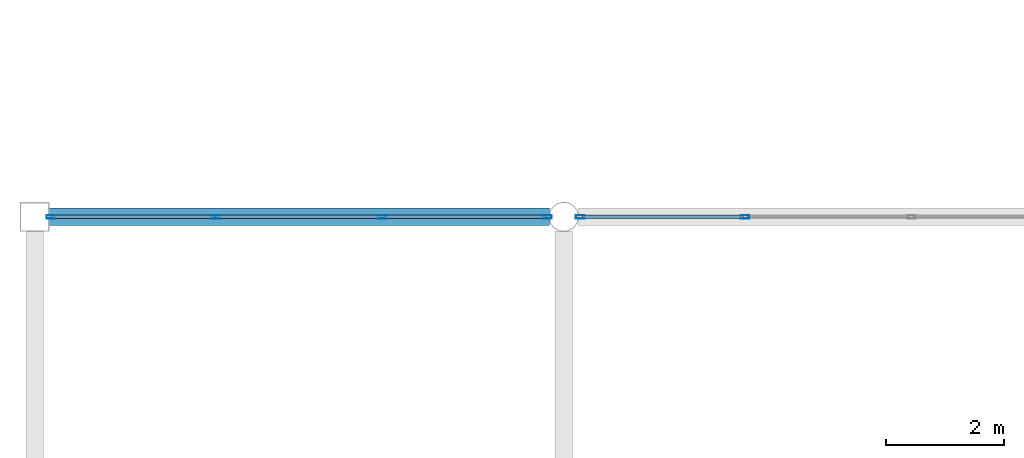
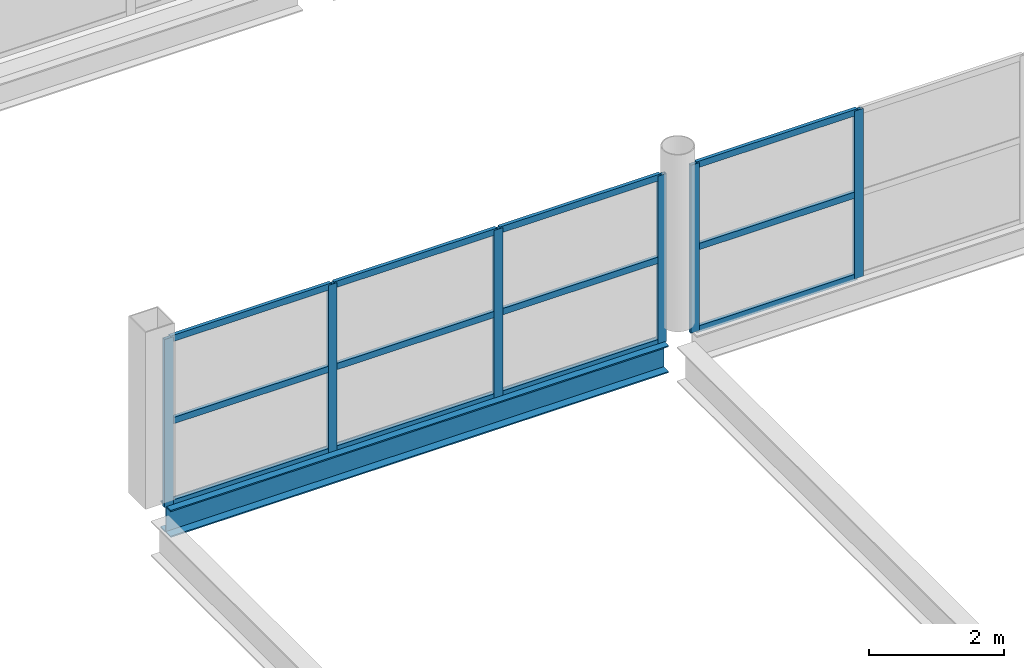
# One storey, part 37 of 134: 18 members, 1 beam, 2 elements without a shape of their own.
"""IFC4 building model written with IfcOpenShell, lengths in metres."""

from ifc_helpers import new_model, si_unit, direction, frame, origin, origin_2d, place, context, subcontext, project, spatial, hollow_rectangle, i_section, extrude, material, layer, layer_set, material_profile, profile_set, type_object, element, aggregate, save


model = new_model("IFC4")

# Units and contexts
model_context = context("Model", 3, precision=1e-05, world=origin(), true_north=direction((0.0, 1.0)))
body_context = subcontext(model_context, "Body", "Model", "MODEL_VIEW")
ifc_project = project(units=[si_unit("LENGTHUNIT", "METRE"), si_unit("AREAUNIT", "SQUARE_METRE"), si_unit("VOLUMEUNIT", "CUBIC_METRE"), si_unit("PLANEANGLEUNIT", "RADIAN"), si_unit("MASSUNIT", "GRAM", prefix="KILO")], contexts=[model_context])

# Site, building, storey
site_placement = place(None, origin())
site = spatial("IfcSite", under=ifc_project, at=site_placement, CompositionType="ELEMENT")
building_placement = place(site_placement, origin())
building = spatial("IfcBuilding", under=site, at=building_placement, Name="Tamarisk Ironworks Central Station", CompositionType="ELEMENT")
storey_placement = place(building_placement, frame((0.0, 0.0, 12.60009765625)))
storey = spatial("IfcBuildingStorey", under=building, at=storey_placement, Name="L02", CompositionType="ELEMENT", Elevation=12.60009765625)

# Beam
ifc_material_1 = material(Name="Structural steel S355J2", Category="steel")
ifc_material_profile_1 = material_profile(ifc_material_1, i_section(OverallWidth=0.300048828125, OverallDepth=0.489990234375, WebThickness=0.011962890625, FlangeThickness=0.02294921875, at=origin_2d()), Name="HEA 500")
ifc_profile_set_1 = profile_set([ifc_material_profile_1], Name="Structural steel S355J2")
beam_type = type_object("IfcBeamType", Name="BM-G05", PredefinedType="BEAM", material=ifc_profile_set_1)
beam_placement = place(storey_placement, frame((0.238037109375, 79.199951171875, -0.4951171875), z_axis=(1.0, 0.0, 0.0), x_axis=(0.0, 1.0, 0.0)))
element("IfcBeam", 1, at=beam_placement, inside=storey, type_object=beam_type, Name="L02 primary girder X-0355", PredefinedType="BEAM", context=body_context, shape_type="SweptSolid", body=[
    extrude(i_section(OverallWidth=0.300048828125, OverallDepth=0.489990234375, WebThickness=0.011962890625, FlangeThickness=0.02294921875, at=origin_2d()), origin(), (0.0, 0.0, 1.0), 8.52001953125),
])

# Curtain wall, members
ifc_material_2 = material(Name="Anodized aluminium alloy 6063-T6", Category="aluminium")
ifc_layer = layer(ifc_material_2, 0.179931640625)
ifc_layer_set = layer_set([ifc_layer], Name="Anodized aluminium alloy 6063-T6")
curtain_wall_type = type_object("IfcCurtainWallType", Name="CW-08", PredefinedType="USERDEFINED", material=ifc_layer_set)
curtain_wall_1_placement = place(storey_placement, origin())
curtain_wall_1 = element("IfcCurtainWall", 2, at=curtain_wall_1_placement, inside=storey, type_object=curtain_wall_type, Name="Train shed WN clerestory curtain wall 000", ObjectType="GLAZED CURTAIN WALL", PredefinedType="USERDEFINED")
ifc_material_profile_2 = material_profile(ifc_material_2, hollow_rectangle(XDim=0.06005859375, YDim=0.14990234375, WallThickness=0.00341796875, at=origin_2d()), Name="ALUM 150x60")
ifc_profile_set_2 = profile_set([ifc_material_profile_2], Name="Anodized aluminium alloy 6063-T6")
member_type_1 = type_object("IfcMemberType", Name="CWM-03", PredefinedType="MULLION", material=ifc_profile_set_2)
member_1_placement = place(storey_placement, frame((0.278076171875, 79.199951171875, -0.260009765625), z_axis=(0.0, 0.0, 1.0), x_axis=(0.0, 1.0, 0.0)))
member_1 = element("IfcMember", 3, at=member_1_placement, type_object=member_type_1, Name="CW08 mullion 1", PredefinedType="MULLION", context=body_context, shape_type="SweptSolid", body=[
    extrude(hollow_rectangle(XDim=0.06005859375, YDim=0.14990234375, WallThickness=0.00341796875, at=origin_2d()), origin(), (0.0, 0.0, 1.0), 3.039794921875),
])
member_2_placement = place(storey_placement, frame((3.081298828125, 79.199951171875, -0.260009765625), z_axis=(0.0, 0.0, 1.0), x_axis=(0.0, 1.0, 0.0)))
member_2 = element("IfcMember", 4, at=member_2_placement, type_object=member_type_1, Name="CW08 mullion 2", PredefinedType="MULLION", context=body_context, shape_type="SweptSolid", body=[
    extrude(hollow_rectangle(XDim=0.06005859375, YDim=0.14990234375, WallThickness=0.00341796875, at=origin_2d()), origin(), (0.0, 0.0, 1.0), 3.039794921875),
])
member_3_placement = place(storey_placement, frame((5.91455078125, 79.199951171875, -0.260009765625), z_axis=(0.0, 0.0, 1.0), x_axis=(0.0, 1.0, 0.0)))
member_3 = element("IfcMember", 5, at=member_3_placement, type_object=member_type_1, Name="CW08 mullion 3", PredefinedType="MULLION", context=body_context, shape_type="SweptSolid", body=[
    extrude(hollow_rectangle(XDim=0.06005859375, YDim=0.14990234375, WallThickness=0.00341796875, at=origin_2d()), origin(), (0.0, 0.0, 1.0), 3.039794921875),
])
member_4_placement = place(storey_placement, frame((8.718017578125, 79.199951171875, -0.260009765625), z_axis=(0.0, 0.0, 1.0), x_axis=(0.0, 1.0, 0.0)))
member_4 = element("IfcMember", 6, at=member_4_placement, type_object=member_type_1, Name="CW08 mullion 4", PredefinedType="MULLION", context=body_context, shape_type="SweptSolid", body=[
    extrude(hollow_rectangle(XDim=0.06005859375, YDim=0.14990234375, WallThickness=0.00341796875, at=origin_2d()), origin(), (0.0, 0.0, 1.0), 3.039794921875),
])

curtain_wall_2_placement = place(storey_placement, origin())
curtain_wall_2 = element("IfcCurtainWall", 7, at=curtain_wall_2_placement, inside=storey, type_object=curtain_wall_type, Name="Train shed WN clerestory curtain wall 009", ObjectType="GLAZED CURTAIN WALL", PredefinedType="USERDEFINED")
member_5_placement = place(storey_placement, frame((9.281982421875, 79.199951171875, -0.260009765625), z_axis=(0.0, 0.0, 1.0), x_axis=(0.0, 1.0, 0.0)))
member_5 = element("IfcMember", 8, at=member_5_placement, type_object=member_type_1, Name="CW08 mullion 1", PredefinedType="MULLION", context=body_context, shape_type="SweptSolid", body=[
    extrude(hollow_rectangle(XDim=0.06005859375, YDim=0.14990234375, WallThickness=0.00341796875, at=origin_2d()), origin(), (0.0, 0.0, 1.0), 3.039794921875),
])
member_6_placement = place(storey_placement, frame((12.083984375, 79.199951171875, -0.260009765625), z_axis=(0.0, 0.0, 1.0), x_axis=(0.0, 1.0, 0.0)))
member_6 = element("IfcMember", 9, at=member_6_placement, type_object=member_type_1, Name="CW08 mullion 2", PredefinedType="MULLION", context=body_context, shape_type="SweptSolid", body=[
    extrude(hollow_rectangle(XDim=0.06005859375, YDim=0.14990234375, WallThickness=0.00341796875, at=origin_2d()), origin(), (0.0, 0.0, 1.0), 3.039794921875),
])

# Member
ifc_material_profile_3 = material_profile(ifc_material_2, hollow_rectangle(XDim=0.06005859375, YDim=0.114990234375, WallThickness=0.00341796875, at=origin_2d()), Name="ALUM 115x60")
ifc_profile_set_3 = profile_set([ifc_material_profile_3], Name="Anodized aluminium alloy 6063-T6")
member_type_2 = type_object("IfcMemberType", Name="CWT-03", PredefinedType="USERDEFINED", material=ifc_profile_set_3)
member_7_placement = place(storey_placement, frame((0.303955078125, 79.199951171875, -0.22998046875), z_axis=(1.0, 0.0, 0.0), x_axis=(0.0, 1.0, 0.0)))
member_7 = element("IfcMember", 10, at=member_7_placement, type_object=member_type_2, Name="CW08 transom 1.1", ObjectType="TRANSOM", PredefinedType="USERDEFINED", context=body_context, shape_type="SweptSolid", body=[
    extrude(hollow_rectangle(XDim=0.06005859375, YDim=0.114990234375, WallThickness=0.00341796875, at=origin_2d()), origin(), (0.0, 0.0, 1.0), 2.75146484375),
])

member_8_placement = place(storey_placement, frame((0.303955078125, 79.199951171875, 1.260009765625), z_axis=(1.0, 0.0, 0.0), x_axis=(0.0, 1.0, 0.0)))
member_8 = element("IfcMember", 11, at=member_8_placement, type_object=member_type_2, Name="CW08 transom 1.2", ObjectType="TRANSOM", PredefinedType="USERDEFINED", context=body_context, shape_type="SweptSolid", body=[
    extrude(hollow_rectangle(XDim=0.06005859375, YDim=0.114990234375, WallThickness=0.00341796875, at=origin_2d()), origin(), (0.0, 0.0, 1.0), 2.75146484375),
])

member_9_placement = place(storey_placement, frame((0.303955078125, 79.199951171875, 2.75), z_axis=(1.0, 0.0, 0.0), x_axis=(0.0, 1.0, 0.0)))
member_9 = element("IfcMember", 12, at=member_9_placement, type_object=member_type_2, Name="CW08 transom 1.3", ObjectType="TRANSOM", PredefinedType="USERDEFINED", context=body_context, shape_type="SweptSolid", body=[
    extrude(hollow_rectangle(XDim=0.06005859375, YDim=0.114990234375, WallThickness=0.00341796875, at=origin_2d()), origin(), (0.0, 0.0, 1.0), 2.75146484375),
])

member_10_placement = place(storey_placement, frame((3.107421875, 79.199951171875, -0.22998046875), z_axis=(1.0, 0.0, 0.0), x_axis=(0.0, 1.0, 0.0)))
member_10 = element("IfcMember", 13, at=member_10_placement, type_object=member_type_2, Name="CW08 transom 2.1", ObjectType="TRANSOM", PredefinedType="USERDEFINED", context=body_context, shape_type="SweptSolid", body=[
    extrude(hollow_rectangle(XDim=0.06005859375, YDim=0.114990234375, WallThickness=0.00341796875, at=origin_2d()), origin(), (0.0, 0.0, 1.0), 2.78125),
])

member_11_placement = place(storey_placement, frame((3.107421875, 79.199951171875, 1.260009765625), z_axis=(1.0, 0.0, 0.0), x_axis=(0.0, 1.0, 0.0)))
member_11 = element("IfcMember", 14, at=member_11_placement, type_object=member_type_2, Name="CW08 transom 2.2", ObjectType="TRANSOM", PredefinedType="USERDEFINED", context=body_context, shape_type="SweptSolid", body=[
    extrude(hollow_rectangle(XDim=0.06005859375, YDim=0.114990234375, WallThickness=0.00341796875, at=origin_2d()), origin(), (0.0, 0.0, 1.0), 2.78125),
])

member_12_placement = place(storey_placement, frame((3.107421875, 79.199951171875, 2.75), z_axis=(1.0, 0.0, 0.0), x_axis=(0.0, 1.0, 0.0)))
member_12 = element("IfcMember", 15, at=member_12_placement, type_object=member_type_2, Name="CW08 transom 2.3", ObjectType="TRANSOM", PredefinedType="USERDEFINED", context=body_context, shape_type="SweptSolid", body=[
    extrude(hollow_rectangle(XDim=0.06005859375, YDim=0.114990234375, WallThickness=0.00341796875, at=origin_2d()), origin(), (0.0, 0.0, 1.0), 2.78125),
])

member_13_placement = place(storey_placement, frame((5.940673828125, 79.199951171875, -0.22998046875), z_axis=(1.0, 0.0, 0.0), x_axis=(0.0, 1.0, 0.0)))
member_13 = element("IfcMember", 16, at=member_13_placement, type_object=member_type_2, Name="CW08 transom 3.1", ObjectType="TRANSOM", PredefinedType="USERDEFINED", context=body_context, shape_type="SweptSolid", body=[
    extrude(hollow_rectangle(XDim=0.06005859375, YDim=0.114990234375, WallThickness=0.00341796875, at=origin_2d()), origin(), (0.0, 0.0, 1.0), 2.751220703125),
])

member_14_placement = place(storey_placement, frame((5.940673828125, 79.199951171875, 1.260009765625), z_axis=(1.0, 0.0, 0.0), x_axis=(0.0, 1.0, 0.0)))
member_14 = element("IfcMember", 17, at=member_14_placement, type_object=member_type_2, Name="CW08 transom 3.2", ObjectType="TRANSOM", PredefinedType="USERDEFINED", context=body_context, shape_type="SweptSolid", body=[
    extrude(hollow_rectangle(XDim=0.06005859375, YDim=0.114990234375, WallThickness=0.00341796875, at=origin_2d()), origin(), (0.0, 0.0, 1.0), 2.751220703125),
])

member_15_placement = place(storey_placement, frame((5.940673828125, 79.199951171875, 2.75), z_axis=(1.0, 0.0, 0.0), x_axis=(0.0, 1.0, 0.0)))
member_15 = element("IfcMember", 18, at=member_15_placement, type_object=member_type_2, Name="CW08 transom 3.3", ObjectType="TRANSOM", PredefinedType="USERDEFINED", context=body_context, shape_type="SweptSolid", body=[
    extrude(hollow_rectangle(XDim=0.06005859375, YDim=0.114990234375, WallThickness=0.00341796875, at=origin_2d()), origin(), (0.0, 0.0, 1.0), 2.751220703125),
])

aggregate(curtain_wall_1, [member_1, member_2, member_3, member_4, member_7, member_8, member_9, member_10, member_11, member_12, member_13, member_14, member_15])

member_16_placement = place(storey_placement, frame((9.30810546875, 79.199951171875, -0.22998046875), z_axis=(1.0, 0.0, 0.0), x_axis=(0.0, 1.0, 0.0)))
member_16 = element("IfcMember", 19, at=member_16_placement, type_object=member_type_2, Name="CW08 transom 1.1", ObjectType="TRANSOM", PredefinedType="USERDEFINED", context=body_context, shape_type="SweptSolid", body=[
    extrude(hollow_rectangle(XDim=0.06005859375, YDim=0.114990234375, WallThickness=0.00341796875, at=origin_2d()), origin(), (0.0, 0.0, 1.0), 2.75),
])

member_17_placement = place(storey_placement, frame((9.30810546875, 79.199951171875, 1.260009765625), z_axis=(1.0, 0.0, 0.0), x_axis=(0.0, 1.0, 0.0)))
member_17 = element("IfcMember", 20, at=member_17_placement, type_object=member_type_2, Name="CW08 transom 1.2", ObjectType="TRANSOM", PredefinedType="USERDEFINED", context=body_context, shape_type="SweptSolid", body=[
    extrude(hollow_rectangle(XDim=0.06005859375, YDim=0.114990234375, WallThickness=0.00341796875, at=origin_2d()), origin(), (0.0, 0.0, 1.0), 2.75),
])

member_18_placement = place(storey_placement, frame((9.30810546875, 79.199951171875, 2.75), z_axis=(1.0, 0.0, 0.0), x_axis=(0.0, 1.0, 0.0)))
member_18 = element("IfcMember", 21, at=member_18_placement, type_object=member_type_2, Name="CW08 transom 1.3", ObjectType="TRANSOM", PredefinedType="USERDEFINED", context=body_context, shape_type="SweptSolid", body=[
    extrude(hollow_rectangle(XDim=0.06005859375, YDim=0.114990234375, WallThickness=0.00341796875, at=origin_2d()), origin(), (0.0, 0.0, 1.0), 2.75),
])

aggregate(curtain_wall_2, [member_5, member_6, member_16, member_17, member_18])

save(model, "model.ifc")
